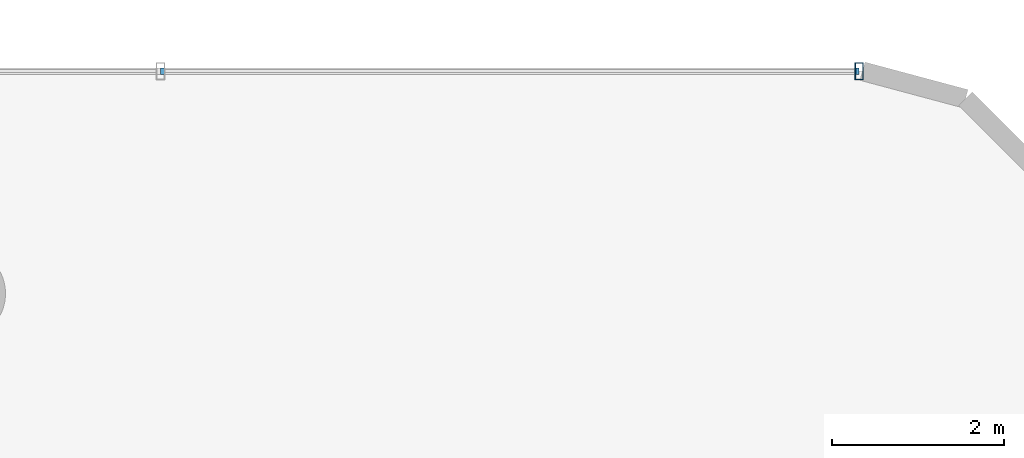
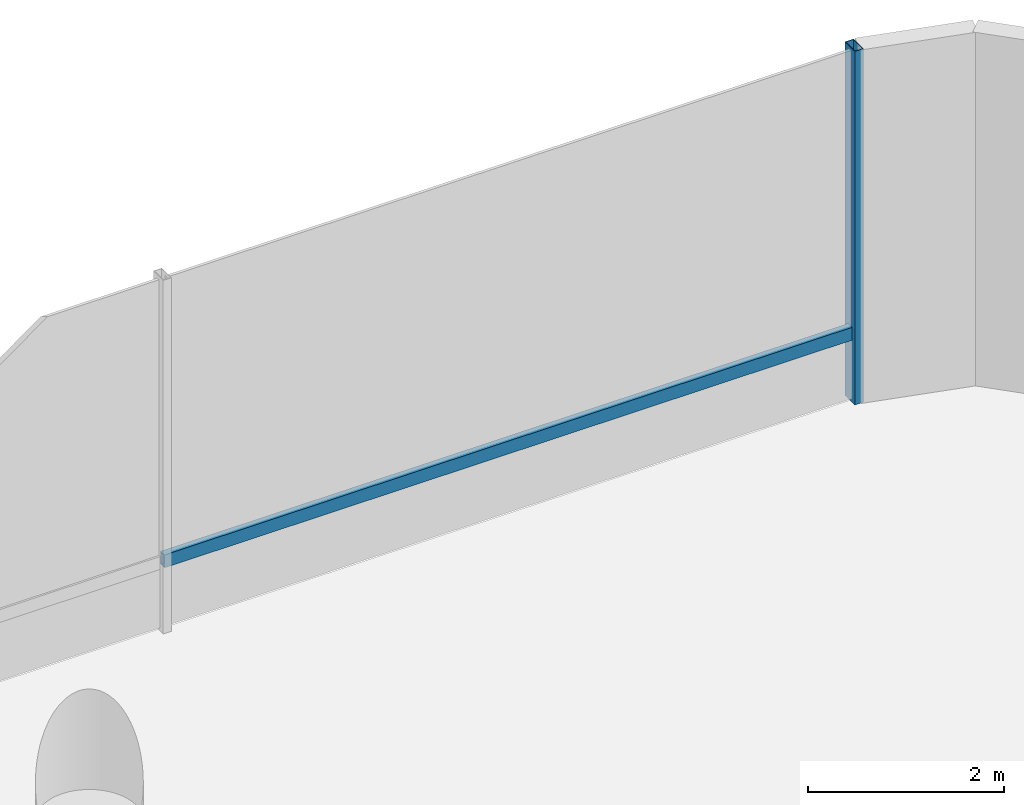
# One storey, part 11 of 22: 2 members, 1 element without a shape of its own.
"""IFC4 building model written with IfcOpenShell, lengths in metres."""

from ifc_helpers import new_model, si_unit, direction, frame, origin, origin_2d, place, context, subcontext, project, spatial, hollow_rectangle, extrude, source, transform, mapped, material, material_profile, profile_set, type_object, element, aggregate, save


model = new_model("IFC4")

# Units and contexts
model_context = context("Model", 3, precision=1e-05, world=origin(), true_north=direction((0.0, 1.0)))
body_context = subcontext(model_context, "Body", "Model", "MODEL_VIEW")
ifc_project = project(units=[si_unit("LENGTHUNIT", "METRE"), si_unit("AREAUNIT", "SQUARE_METRE"), si_unit("VOLUMEUNIT", "CUBIC_METRE"), si_unit("PLANEANGLEUNIT", "RADIAN"), si_unit("MASSUNIT", "GRAM", prefix="KILO")], contexts=[model_context])

# Site, building, storey
site_placement = place(None, origin())
site = spatial("IfcSite", under=ifc_project, at=site_placement, CompositionType="ELEMENT")
building_placement = place(site_placement, origin())
building = spatial("IfcBuilding", under=site, at=building_placement, Name="Sahyath Konkavel Grand Hotel", CompositionType="ELEMENT")
storey_placement = place(building_placement, frame((0.0, 0.0, 9.300048828125)))
storey = spatial("IfcBuildingStorey", under=building, at=storey_placement, Name="L02", CompositionType="ELEMENT", Elevation=9.300048828125)

# Curtain wall, members
ifc_material_1 = material(Name="Anodised Bronze Aluminium & Low-E Glazing", Category="aluminium")
curtain_wall_type = type_object("IfcCurtainWallType", Name="CW-PODIUM", PredefinedType="NOTDEFINED", material=ifc_material_1)
curtain_wall_placement = place(storey_placement, origin())
curtain_wall = element("IfcCurtainWall", 1, at=curtain_wall_placement, inside=storey, type_object=curtain_wall_type, Name="L02 Unitised Curtain Wall N", PredefinedType="NOTDEFINED")
ifc_material_2 = material(Name="Anodised Bronze Aluminium", Category="aluminium")
ifc_material_profile_1 = material_profile(ifc_material_2, hollow_rectangle(XDim=0.10009765625, YDim=0.199951171875, WallThickness=0.008056640625, at=origin_2d()), Name="RHS 200x100x8")
ifc_profile_set_1 = profile_set([ifc_material_profile_1], Name="Anodised Bronze Aluminium")
member_type_1 = type_object("IfcMemberType", Name="CW-MUL-200", PredefinedType="MULLION", material=ifc_profile_set_1)
shared_shape_1 = source(origin(), body_context, "Body", "SweptSolid", [
    extrude(hollow_rectangle(XDim=0.10009765625, YDim=0.199951171875, WallThickness=0.008056640625, at=origin_2d()), origin(), (0.0, 0.0, 1.0), 4.39990234375),
])
member_1_placement = place(storey_placement, frame((28.5009765625, 23.092041015625, 0.0), z_axis=(0.0, 0.0, 1.0), x_axis=(1.0, 0.0, 0.0)))
member_1 = element("IfcMember", 2, at=member_1_placement, type_object=member_type_1, Name="L02 Curtain Wall Mullion N-0", PredefinedType="MULLION", context=body_context, shape_type="MappedRepresentation", body=[
    mapped(shared_shape_1, transform((0.0, 0.0, 0.0), scale=1.0)),
])
ifc_material_profile_2 = material_profile(ifc_material_2, hollow_rectangle(XDim=0.080078125, YDim=0.159912109375, WallThickness=0.006103515625, at=origin_2d()), Name="RHS 160x80x6")
ifc_profile_set_2 = profile_set([ifc_material_profile_2], Name="Anodised Bronze Aluminium")
member_type_2 = type_object("IfcMemberType", Name="CW-TRN-160", PredefinedType="USERDEFINED", material=ifc_profile_set_2)
shared_shape_2 = source(origin(), body_context, "Body", "SweptSolid", [
    extrude(hollow_rectangle(XDim=0.080078125, YDim=0.159912109375, WallThickness=0.006103515625, at=origin_2d()), origin(), (0.0, 0.0, 1.0), 8.14306640625),
])
member_2_placement = place(storey_placement, frame((28.5009765625, 23.092041015625, 0.849853515625), z_axis=(-1.0, 0.0, 0.0), x_axis=(0.0, -1.0, 0.0)))
member_2 = element("IfcMember", 3, at=member_2_placement, type_object=member_type_2, Name="L02 Curtain Wall Transom N-0-spandrel", ObjectType="TRANSOM", PredefinedType="USERDEFINED", context=body_context, shape_type="MappedRepresentation", body=[
    mapped(shared_shape_2, transform((0.0, 0.0, 0.0), scale=1.0)),
])
aggregate(curtain_wall, [member_1, member_2])

save(model, "model.ifc")
